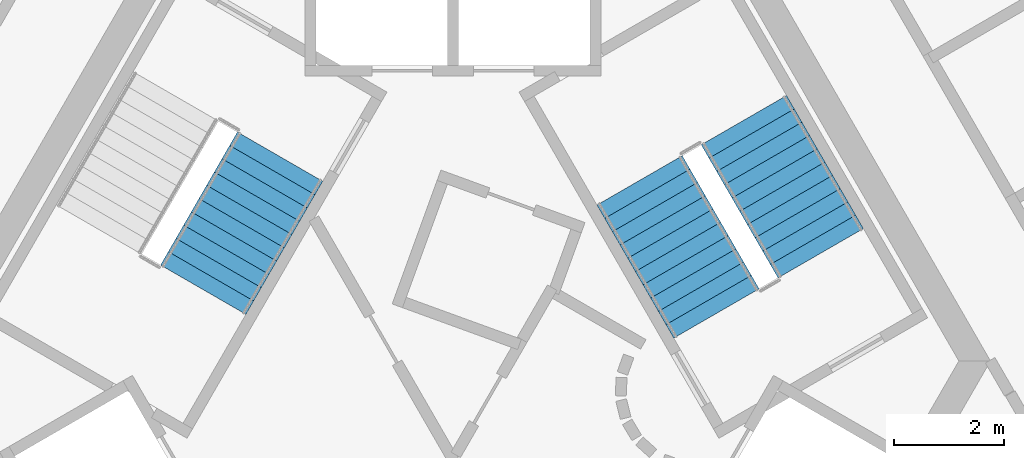
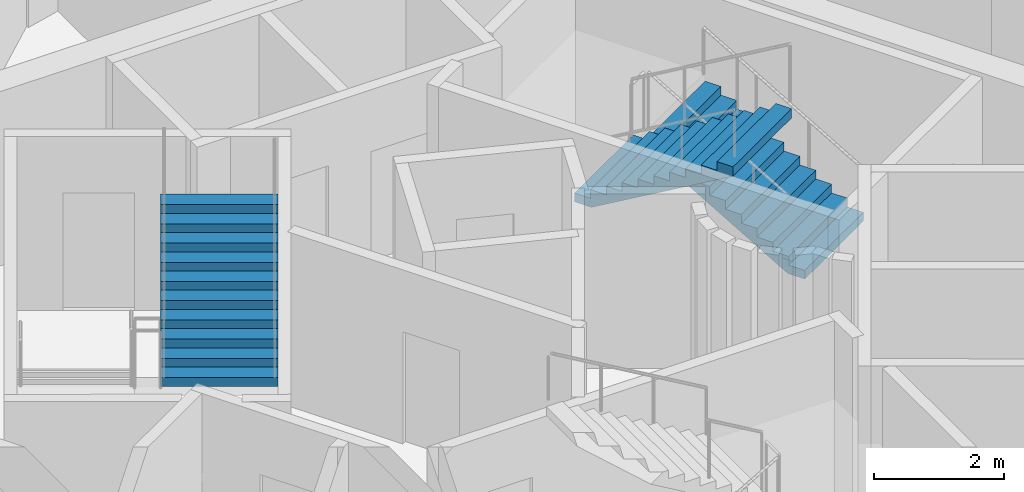
# One storey, part 8 of 10: 3 stair flights, 2 elements without a shape of their own.
"""IFC4 building model written with IfcOpenShell, lengths in metres."""

from ifc_helpers import new_model, si_unit, direction, frame, origin, place, context, subcontext, project, spatial, polyline, outline, extrude, material, type_object, element, aggregate, save


model = new_model("IFC4")

# Units and contexts
model_context = context("Model", 3, precision=1e-05, world=origin(), true_north=direction((0.0, 1.0)))
body_context = subcontext(model_context, "Body", "Model", "MODEL_VIEW")
ifc_project = project(units=[si_unit("LENGTHUNIT", "METRE"), si_unit("AREAUNIT", "SQUARE_METRE"), si_unit("VOLUMEUNIT", "CUBIC_METRE"), si_unit("PLANEANGLEUNIT", "RADIAN"), si_unit("MASSUNIT", "GRAM", prefix="KILO")], contexts=[model_context])

# Site, building, storey
site_placement = place(None, origin())
site = spatial("IfcSite", under=ifc_project, at=site_placement, CompositionType="ELEMENT")
building_placement = place(site_placement, origin())
building = spatial("IfcBuilding", under=site, at=building_placement, Name="Entoto Arch Interchange Tower", CompositionType="ELEMENT")
storey_placement = place(building_placement, frame((0.0, 0.0, 293.60009765625)))
storey = spatial("IfcBuildingStorey", under=building, at=storey_placement, Name="L68", CompositionType="ELEMENT", Elevation=293.60009765625)

# Stair, stair flights
ifc_material = material(Name="Concrete C40/50", Category="concrete")
stair_type = type_object("IfcStairType", Name="EXIT STAIR RC 1800", PredefinedType="HALF_TURN_STAIR", material=ifc_material)
stair_1_placement = place(storey_placement, origin())
stair_1 = element("IfcStair", 1, at=stair_1_placement, inside=storey, type_object=stair_type, Name="L68 Exit stair NE", PredefinedType="HALF_TURN_STAIR")
stair_flight_type = type_object("IfcStairFlightType", Name="EXIT STAIR FLIGHT RC 1800", PredefinedType="STRAIGHT", material=ifc_material)
stair_flight_1_placement = place(storey_placement, frame((6.7138671875, 4.470947265625, 0.0), z_axis=(0.0, 0.0, 1.0), x_axis=(-0.5, 0.866025403784, 0.0)))
stair_flight_1 = element("IfcStairFlight", 2, at=stair_flight_1_placement, type_object=stair_flight_type, Name="ST-NE flight 1", NumberOfRisers=11, NumberOfTreads=10, PredefinedType="STRAIGHT", RiserHeight=0.163636364, TreadLength=0.28, context=body_context, shape_type="SweptSolid", body=[
    extrude(outline(polyline([(-0.0029296875, 0.0), (-0.0029296875, 0.16357421875), (0.280029296875, 0.16357421875), (0.280029296875, 0.327392578125), (0.56005859375, 0.327392578125), (0.56005859375, 0.490966796875), (0.840087890625, 0.490966796875), (0.840087890625, 0.654541015625), (1.1201171875, 0.654541015625), (1.1201171875, 0.818115234375), (1.39990234375, 0.818115234375), (1.39990234375, 0.98193359375), (1.679931640625, 0.98193359375), (1.679931640625, 1.1455078125), (1.9599609375, 1.1455078125), (1.9599609375, 1.30908203125), (2.239990234375, 1.30908203125), (2.239990234375, 1.47265625), (2.52001953125, 1.47265625), (2.52001953125, 1.636474609375), (2.800048828125, 1.636474609375), (2.802978515625, 1.636474609375), (2.802978515625, 1.464599609375), (0.297119140625, 0.0), (-0.0029296875, 0.0)])), frame((0.0, 0.89990234375, 0.0), z_axis=(0.0, -1.0, 0.0), x_axis=(1.0, 0.0, 0.0)), (0.0, 0.0, 1.0), 1.800048828125),
])
stair_flight_2_placement = place(storey_placement, frame((3.40869140625, 5.7958984375, 1.7998046875), z_axis=(0.0, 0.0, 1.0), x_axis=(0.5, -0.866025403784, 0.0)))
stair_flight_2 = element("IfcStairFlight", 3, at=stair_flight_2_placement, type_object=stair_flight_type, Name="ST-NE flight 2", NumberOfRisers=11, NumberOfTreads=10, PredefinedType="STRAIGHT", RiserHeight=0.163636364, TreadLength=0.28, context=body_context, shape_type="SweptSolid", body=[
    extrude(outline(polyline([(-0.0029296875, 0.0), (-0.0029296875, 0.16357421875), (0.280029296875, 0.16357421875), (0.280029296875, 0.327392578125), (0.56005859375, 0.327392578125), (0.56005859375, 0.490966796875), (0.840087890625, 0.490966796875), (0.840087890625, 0.654541015625), (1.1201171875, 0.654541015625), (1.1201171875, 0.818115234375), (1.39990234375, 0.818115234375), (1.39990234375, 0.98193359375), (1.679931640625, 0.98193359375), (1.679931640625, 1.1455078125), (1.9599609375, 1.1455078125), (1.9599609375, 1.30908203125), (2.239990234375, 1.30908203125), (2.239990234375, 1.47265625), (2.52001953125, 1.47265625), (2.52001953125, 1.636474609375), (2.800048828125, 1.636474609375), (2.802978515625, 1.636474609375), (2.802978515625, 1.464599609375), (0.297119140625, 0.0), (-0.0029296875, 0.0)])), frame((0.0, 0.89990234375, 0.0), z_axis=(0.0, -1.0, 0.0), x_axis=(1.0, 0.0, 0.0)), (0.0, 0.0, 1.0), 1.800048828125),
])
aggregate(stair_1, [stair_flight_1, stair_flight_2])

# Stair, stair flight
stair_2_placement = place(storey_placement, origin())
stair_2 = element("IfcStair", 4, at=stair_2_placement, inside=storey, type_object=stair_type, Name="L68 Exit stair NW", PredefinedType="HALF_TURN_STAIR")
stair_flight_3_placement = place(storey_placement, frame((-4.558837890625, 3.803955078125, 1.7998046875), z_axis=(0.0, 0.0, 1.0), x_axis=(0.5, 0.866025403784, 0.0)))
stair_flight_3 = element("IfcStairFlight", 5, at=stair_flight_3_placement, type_object=stair_flight_type, Name="ST-NW flight 2", NumberOfRisers=11, NumberOfTreads=10, PredefinedType="STRAIGHT", RiserHeight=0.163636364, TreadLength=0.28, context=body_context, shape_type="SweptSolid", body=[
    extrude(outline(polyline([(-0.0029296875, 0.0), (-0.0029296875, 0.16357421875), (0.280029296875, 0.16357421875), (0.280029296875, 0.327392578125), (0.56005859375, 0.327392578125), (0.56005859375, 0.490966796875), (0.840087890625, 0.490966796875), (0.840087890625, 0.654541015625), (1.1201171875, 0.654541015625), (1.1201171875, 0.818115234375), (1.39990234375, 0.818115234375), (1.39990234375, 0.98193359375), (1.679931640625, 0.98193359375), (1.679931640625, 1.1455078125), (1.9599609375, 1.1455078125), (1.9599609375, 1.30908203125), (2.239990234375, 1.30908203125), (2.239990234375, 1.47265625), (2.52001953125, 1.47265625), (2.52001953125, 1.636474609375), (2.800048828125, 1.636474609375), (2.802978515625, 1.636474609375), (2.802978515625, 1.464599609375), (0.297119140625, 0.0), (-0.0029296875, 0.0)])), frame((0.0, 0.89990234375, 0.0), z_axis=(0.0, -1.0, 0.0), x_axis=(1.0, 0.0, 0.0)), (0.0, 0.0, 1.0), 1.800048828125),
])
aggregate(stair_2, [stair_flight_3])

save(model, "model.ifc")
